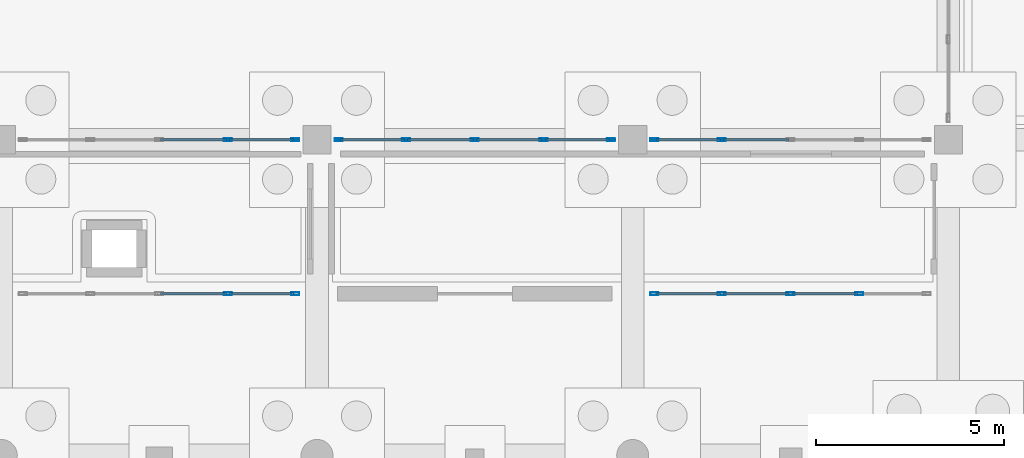
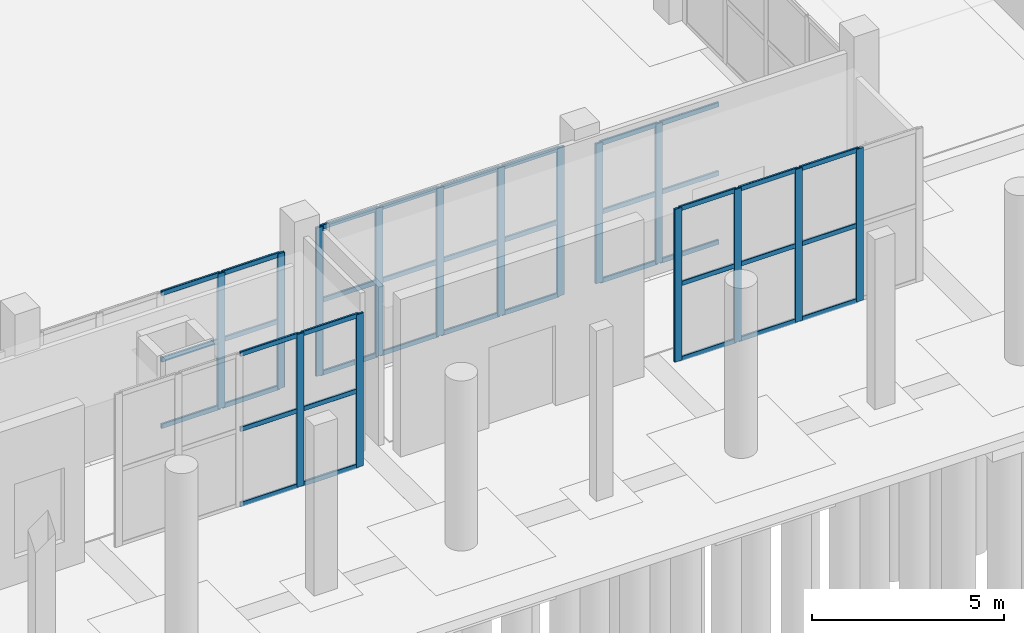
# One storey, part 17 of 65: 54 members, 5 elements without a shape of their own.
"""IFC4 building model written with IfcOpenShell, lengths in metres."""

from ifc_helpers import new_model, si_unit, direction, frame, origin, origin_2d, place, context, subcontext, project, spatial, hollow_rectangle, extrude, material, layer, layer_set, material_profile, profile_set, type_object, element, aggregate, save


model = new_model("IFC4")

# Units and contexts
model_context = context("Model", 3, precision=1e-05, world=origin(), true_north=direction((0.0, 1.0)))
body_context = subcontext(model_context, "Body", "Model", "MODEL_VIEW")
ifc_project = project(units=[si_unit("LENGTHUNIT", "METRE"), si_unit("AREAUNIT", "SQUARE_METRE"), si_unit("VOLUMEUNIT", "CUBIC_METRE"), si_unit("PLANEANGLEUNIT", "RADIAN"), si_unit("MASSUNIT", "GRAM", prefix="KILO")], contexts=[model_context])

# Site, building, storey
site_placement = place(None, origin())
site = spatial("IfcSite", under=ifc_project, at=site_placement, CompositionType="ELEMENT")
building_placement = place(site_placement, origin())
building = spatial("IfcBuilding", under=site, at=building_placement, Name="Zulmaris Art Gallery", CompositionType="ELEMENT")
storey_placement = place(building_placement, origin())
storey = spatial("IfcBuildingStorey", under=building, at=storey_placement, Name="L00", CompositionType="ELEMENT", Elevation=0.0)

# Curtain wall, members
ifc_material_1 = material(Name="Cloister & Court Glazed Curtain Wall", Category="aluminium")
ifc_layer = layer(ifc_material_1, 0.179931640625)
ifc_layer_set = layer_set([ifc_layer], Name="Cloister & Court Glazed Curtain Wall")
curtain_wall_type = type_object("IfcCurtainWallType", Name="CW-CW03", PredefinedType="NOTDEFINED", material=ifc_layer_set)
curtain_wall_1_placement = place(storey_placement, origin())
curtain_wall_1 = element("IfcCurtainWall", 1, at=curtain_wall_1_placement, inside=storey, type_object=curtain_wall_type, Name="L00 curtain wall 55", PredefinedType="NOTDEFINED")
ifc_material_2 = material(Name="Anodised Bronze Aluminium", Category="aluminium")
ifc_material_profile_1 = material_profile(ifc_material_2, hollow_rectangle(XDim=0.074951171875, YDim=0.219970703125, WallThickness=0.0048828125, InnerFilletRadius=0.007568359375, OuterFilletRadius=0.012451171875, at=origin_2d()), Name="ALU 75x220x5")
ifc_profile_set_1 = profile_set([ifc_material_profile_1], Name="Anodised Bronze Aluminium")
member_type_1 = type_object("IfcMemberType", Name="CWMUL-02", PredefinedType="MULLION", material=ifc_profile_set_1)
member_1_placement = place(storey_placement, frame((105.6298828125, 17.5, 0.0), z_axis=(0.0, 0.0, 1.0), x_axis=(0.0, 1.0, 0.0)))
member_1 = element("IfcMember", 2, at=member_1_placement, type_object=member_type_1, Name="CW03 mullion 4", PredefinedType="MULLION", context=body_context, shape_type="SweptSolid", body=[
    extrude(hollow_rectangle(XDim=0.074951171875, YDim=0.219970703125, WallThickness=0.0048828125, InnerFilletRadius=0.007568359375, OuterFilletRadius=0.012451171875, at=origin_2d()), origin(), (0.0, 0.0, 1.0), 4.85009765625),
])
member_2_placement = place(storey_placement, frame((107.422607421875, 17.5, 0.0), z_axis=(0.0, 0.0, 1.0), x_axis=(0.0, 1.0, 0.0)))
member_2 = element("IfcMember", 3, at=member_2_placement, type_object=member_type_1, Name="CW03 mullion 5", PredefinedType="MULLION", context=body_context, shape_type="SweptSolid", body=[
    extrude(hollow_rectangle(XDim=0.074951171875, YDim=0.219970703125, WallThickness=0.0048828125, InnerFilletRadius=0.007568359375, OuterFilletRadius=0.012451171875, at=origin_2d()), origin(), (0.0, 0.0, 1.0), 4.85009765625),
])

curtain_wall_2_placement = place(storey_placement, origin())
curtain_wall_2 = element("IfcCurtainWall", 4, at=curtain_wall_2_placement, inside=storey, type_object=curtain_wall_type, Name="L00 curtain wall 56", PredefinedType="NOTDEFINED")
member_3_placement = place(storey_placement, frame((116.9775390625, 17.5, 0.0), z_axis=(0.0, 0.0, 1.0), x_axis=(0.0, 1.0, 0.0)))
member_3 = element("IfcMember", 5, at=member_3_placement, type_object=member_type_1, Name="CW03 mullion 1", PredefinedType="MULLION", context=body_context, shape_type="SweptSolid", body=[
    extrude(hollow_rectangle(XDim=0.074951171875, YDim=0.219970703125, WallThickness=0.0048828125, InnerFilletRadius=0.007568359375, OuterFilletRadius=0.012451171875, at=origin_2d()), origin(), (0.0, 0.0, 1.0), 4.85009765625),
])
member_4_placement = place(storey_placement, frame((118.77001953125, 17.5, 0.0), z_axis=(0.0, 0.0, 1.0), x_axis=(0.0, 1.0, 0.0)))
member_4 = element("IfcMember", 6, at=member_4_placement, type_object=member_type_1, Name="CW03 mullion 2", PredefinedType="MULLION", context=body_context, shape_type="SweptSolid", body=[
    extrude(hollow_rectangle(XDim=0.074951171875, YDim=0.219970703125, WallThickness=0.0048828125, InnerFilletRadius=0.007568359375, OuterFilletRadius=0.012451171875, at=origin_2d()), origin(), (0.0, 0.0, 1.0), 4.85009765625),
])
member_5_placement = place(storey_placement, frame((120.60009765625, 17.5, 0.0), z_axis=(0.0, 0.0, 1.0), x_axis=(0.0, 1.0, 0.0)))
member_5 = element("IfcMember", 7, at=member_5_placement, type_object=member_type_1, Name="CW03 mullion 3", PredefinedType="MULLION", context=body_context, shape_type="SweptSolid", body=[
    extrude(hollow_rectangle(XDim=0.074951171875, YDim=0.219970703125, WallThickness=0.0048828125, InnerFilletRadius=0.007568359375, OuterFilletRadius=0.012451171875, at=origin_2d()), origin(), (0.0, 0.0, 1.0), 4.85009765625),
])
member_6_placement = place(storey_placement, frame((122.429931640625, 17.5, 0.0), z_axis=(0.0, 0.0, 1.0), x_axis=(0.0, 1.0, 0.0)))
member_6 = element("IfcMember", 8, at=member_6_placement, type_object=member_type_1, Name="CW03 mullion 4", PredefinedType="MULLION", context=body_context, shape_type="SweptSolid", body=[
    extrude(hollow_rectangle(XDim=0.074951171875, YDim=0.219970703125, WallThickness=0.0048828125, InnerFilletRadius=0.007568359375, OuterFilletRadius=0.012451171875, at=origin_2d()), origin(), (0.0, 0.0, 1.0), 4.85009765625),
])

curtain_wall_3_placement = place(storey_placement, origin())
curtain_wall_3 = element("IfcCurtainWall", 9, at=curtain_wall_3_placement, inside=storey, type_object=curtain_wall_type, Name="L00 curtain wall 186", PredefinedType="NOTDEFINED")
member_7_placement = place(storey_placement, frame((105.6298828125, 21.60009765625, 0.0), z_axis=(0.0, 0.0, 1.0), x_axis=(0.0, 1.0, 0.0)))
member_7 = element("IfcMember", 10, at=member_7_placement, type_object=member_type_1, Name="CW03 mullion 4", PredefinedType="MULLION", context=body_context, shape_type="SweptSolid", body=[
    extrude(hollow_rectangle(XDim=0.074951171875, YDim=0.219970703125, WallThickness=0.0048828125, InnerFilletRadius=0.007568359375, OuterFilletRadius=0.012451171875, at=origin_2d()), origin(), (0.0, 0.0, 1.0), 4.2900390625),
])
member_8_placement = place(storey_placement, frame((107.422607421875, 21.60009765625, 0.0), z_axis=(0.0, 0.0, 1.0), x_axis=(0.0, 1.0, 0.0)))
member_8 = element("IfcMember", 11, at=member_8_placement, type_object=member_type_1, Name="CW03 mullion 5", PredefinedType="MULLION", context=body_context, shape_type="SweptSolid", body=[
    extrude(hollow_rectangle(XDim=0.074951171875, YDim=0.219970703125, WallThickness=0.0048828125, InnerFilletRadius=0.007568359375, OuterFilletRadius=0.012451171875, at=origin_2d()), origin(), (0.0, 0.0, 1.0), 4.2900390625),
])

curtain_wall_4_placement = place(storey_placement, origin())
curtain_wall_4 = element("IfcCurtainWall", 12, at=curtain_wall_4_placement, inside=storey, type_object=curtain_wall_type, Name="L00 curtain wall 187", PredefinedType="NOTDEFINED")
member_9_placement = place(storey_placement, frame((108.577392578125, 21.60009765625, 0.0), z_axis=(0.0, 0.0, 1.0), x_axis=(0.0, 1.0, 0.0)))
member_9 = element("IfcMember", 13, at=member_9_placement, type_object=member_type_1, Name="CW03 mullion 1", PredefinedType="MULLION", context=body_context, shape_type="SweptSolid", body=[
    extrude(hollow_rectangle(XDim=0.074951171875, YDim=0.219970703125, WallThickness=0.0048828125, InnerFilletRadius=0.007568359375, OuterFilletRadius=0.012451171875, at=origin_2d()), origin(), (0.0, 0.0, 1.0), 4.7099609375),
])
member_10_placement = place(storey_placement, frame((110.3701171875, 21.60009765625, 0.0), z_axis=(0.0, 0.0, 1.0), x_axis=(0.0, 1.0, 0.0)))
member_10 = element("IfcMember", 14, at=member_10_placement, type_object=member_type_1, Name="CW03 mullion 2", PredefinedType="MULLION", context=body_context, shape_type="SweptSolid", body=[
    extrude(hollow_rectangle(XDim=0.074951171875, YDim=0.219970703125, WallThickness=0.0048828125, InnerFilletRadius=0.007568359375, OuterFilletRadius=0.012451171875, at=origin_2d()), origin(), (0.0, 0.0, 1.0), 4.7099609375),
])
member_11_placement = place(storey_placement, frame((112.199951171875, 21.60009765625, 0.0), z_axis=(0.0, 0.0, 1.0), x_axis=(0.0, 1.0, 0.0)))
member_11 = element("IfcMember", 15, at=member_11_placement, type_object=member_type_1, Name="CW03 mullion 3", PredefinedType="MULLION", context=body_context, shape_type="SweptSolid", body=[
    extrude(hollow_rectangle(XDim=0.074951171875, YDim=0.219970703125, WallThickness=0.0048828125, InnerFilletRadius=0.007568359375, OuterFilletRadius=0.012451171875, at=origin_2d()), origin(), (0.0, 0.0, 1.0), 4.7099609375),
])
member_12_placement = place(storey_placement, frame((114.030029296875, 21.60009765625, 0.0), z_axis=(0.0, 0.0, 1.0), x_axis=(0.0, 1.0, 0.0)))
member_12 = element("IfcMember", 16, at=member_12_placement, type_object=member_type_1, Name="CW03 mullion 4", PredefinedType="MULLION", context=body_context, shape_type="SweptSolid", body=[
    extrude(hollow_rectangle(XDim=0.074951171875, YDim=0.219970703125, WallThickness=0.0048828125, InnerFilletRadius=0.007568359375, OuterFilletRadius=0.012451171875, at=origin_2d()), origin(), (0.0, 0.0, 1.0), 4.7099609375),
])
member_13_placement = place(storey_placement, frame((115.822509765625, 21.60009765625, 0.0), z_axis=(0.0, 0.0, 1.0), x_axis=(0.0, 1.0, 0.0)))
member_13 = element("IfcMember", 17, at=member_13_placement, type_object=member_type_1, Name="CW03 mullion 5", PredefinedType="MULLION", context=body_context, shape_type="SweptSolid", body=[
    extrude(hollow_rectangle(XDim=0.074951171875, YDim=0.219970703125, WallThickness=0.0048828125, InnerFilletRadius=0.007568359375, OuterFilletRadius=0.012451171875, at=origin_2d()), origin(), (0.0, 0.0, 1.0), 4.7099609375),
])

curtain_wall_5_placement = place(storey_placement, origin())
curtain_wall_5 = element("IfcCurtainWall", 18, at=curtain_wall_5_placement, inside=storey, type_object=curtain_wall_type, Name="L00 curtain wall 188", PredefinedType="NOTDEFINED")
member_14_placement = place(storey_placement, frame((116.9775390625, 21.60009765625, 0.0), z_axis=(0.0, 0.0, 1.0), x_axis=(0.0, 1.0, 0.0)))
member_14 = element("IfcMember", 19, at=member_14_placement, type_object=member_type_1, Name="CW03 mullion 1", PredefinedType="MULLION", context=body_context, shape_type="SweptSolid", body=[
    extrude(hollow_rectangle(XDim=0.074951171875, YDim=0.219970703125, WallThickness=0.0048828125, InnerFilletRadius=0.007568359375, OuterFilletRadius=0.012451171875, at=origin_2d()), origin(), (0.0, 0.0, 1.0), 4.43994140625),
])
member_15_placement = place(storey_placement, frame((118.77001953125, 21.60009765625, 0.0), z_axis=(0.0, 0.0, 1.0), x_axis=(0.0, 1.0, 0.0)))
member_15 = element("IfcMember", 20, at=member_15_placement, type_object=member_type_1, Name="CW03 mullion 2", PredefinedType="MULLION", context=body_context, shape_type="SweptSolid", body=[
    extrude(hollow_rectangle(XDim=0.074951171875, YDim=0.219970703125, WallThickness=0.0048828125, InnerFilletRadius=0.007568359375, OuterFilletRadius=0.012451171875, at=origin_2d()), origin(), (0.0, 0.0, 1.0), 4.43994140625),
])

# Member
ifc_material_profile_2 = material_profile(ifc_material_2, hollow_rectangle(XDim=0.06494140625, YDim=0.14990234375, WallThickness=0.00390625, InnerFilletRadius=0.006103515625, OuterFilletRadius=0.010009765625, at=origin_2d()), Name="ALU 65x150x4")
ifc_profile_set_2 = profile_set([ifc_material_profile_2], Name="Anodised Bronze Aluminium")
member_type_2 = type_object("IfcMemberType", Name="CWTRN-01", PredefinedType="USERDEFINED", material=ifc_profile_set_2)
member_16_placement = place(storey_placement, frame((103.83740234375, 17.5, 0.03759765625), z_axis=(1.0, 0.0, 0.0), x_axis=(0.0, 1.0, 0.0)))
member_16 = element("IfcMember", 21, at=member_16_placement, type_object=member_type_2, Name="CW03 transom 3.1", ObjectType="TRANSOM", PredefinedType="USERDEFINED", context=body_context, shape_type="SweptSolid", body=[
    extrude(hollow_rectangle(XDim=0.06494140625, YDim=0.14990234375, WallThickness=0.00390625, InnerFilletRadius=0.006103515625, OuterFilletRadius=0.010009765625, at=origin_2d()), origin(), (0.0, 0.0, 1.0), 1.755126953125),
])

member_17_placement = place(storey_placement, frame((103.83740234375, 17.5, 2.425048828125), z_axis=(1.0, 0.0, 0.0), x_axis=(0.0, 1.0, 0.0)))
member_17 = element("IfcMember", 22, at=member_17_placement, type_object=member_type_2, Name="CW03 transom 3.2", ObjectType="TRANSOM", PredefinedType="USERDEFINED", context=body_context, shape_type="SweptSolid", body=[
    extrude(hollow_rectangle(XDim=0.06494140625, YDim=0.14990234375, WallThickness=0.00390625, InnerFilletRadius=0.006103515625, OuterFilletRadius=0.010009765625, at=origin_2d()), origin(), (0.0, 0.0, 1.0), 1.755126953125),
])

member_18_placement = place(storey_placement, frame((103.83740234375, 17.5, 4.8125), z_axis=(1.0, 0.0, 0.0), x_axis=(0.0, 1.0, 0.0)))
member_18 = element("IfcMember", 23, at=member_18_placement, type_object=member_type_2, Name="CW03 transom 3.3", ObjectType="TRANSOM", PredefinedType="USERDEFINED", context=body_context, shape_type="SweptSolid", body=[
    extrude(hollow_rectangle(XDim=0.06494140625, YDim=0.14990234375, WallThickness=0.00390625, InnerFilletRadius=0.006103515625, OuterFilletRadius=0.010009765625, at=origin_2d()), origin(), (0.0, 0.0, 1.0), 1.755126953125),
])

member_19_placement = place(storey_placement, frame((105.66748046875, 17.5, 0.03759765625), z_axis=(1.0, 0.0, 0.0), x_axis=(0.0, 1.0, 0.0)))
member_19 = element("IfcMember", 24, at=member_19_placement, type_object=member_type_2, Name="CW03 transom 4.1", ObjectType="TRANSOM", PredefinedType="USERDEFINED", context=body_context, shape_type="SweptSolid", body=[
    extrude(hollow_rectangle(XDim=0.06494140625, YDim=0.14990234375, WallThickness=0.00390625, InnerFilletRadius=0.006103515625, OuterFilletRadius=0.010009765625, at=origin_2d()), origin(), (0.0, 0.0, 1.0), 1.717529296875),
])

member_20_placement = place(storey_placement, frame((105.66748046875, 17.5, 2.425048828125), z_axis=(1.0, 0.0, 0.0), x_axis=(0.0, 1.0, 0.0)))
member_20 = element("IfcMember", 25, at=member_20_placement, type_object=member_type_2, Name="CW03 transom 4.2", ObjectType="TRANSOM", PredefinedType="USERDEFINED", context=body_context, shape_type="SweptSolid", body=[
    extrude(hollow_rectangle(XDim=0.06494140625, YDim=0.14990234375, WallThickness=0.00390625, InnerFilletRadius=0.006103515625, OuterFilletRadius=0.010009765625, at=origin_2d()), origin(), (0.0, 0.0, 1.0), 1.717529296875),
])

member_21_placement = place(storey_placement, frame((105.66748046875, 17.5, 4.8125), z_axis=(1.0, 0.0, 0.0), x_axis=(0.0, 1.0, 0.0)))
member_21 = element("IfcMember", 26, at=member_21_placement, type_object=member_type_2, Name="CW03 transom 4.3", ObjectType="TRANSOM", PredefinedType="USERDEFINED", context=body_context, shape_type="SweptSolid", body=[
    extrude(hollow_rectangle(XDim=0.06494140625, YDim=0.14990234375, WallThickness=0.00390625, InnerFilletRadius=0.006103515625, OuterFilletRadius=0.010009765625, at=origin_2d()), origin(), (0.0, 0.0, 1.0), 1.717529296875),
])

aggregate(curtain_wall_1, [member_1, member_2, member_16, member_17, member_18, member_19, member_20, member_21])

member_22_placement = place(storey_placement, frame((117.014892578125, 17.5, 0.03759765625), z_axis=(1.0, 0.0, 0.0), x_axis=(0.0, 1.0, 0.0)))
member_22 = element("IfcMember", 27, at=member_22_placement, type_object=member_type_2, Name="CW03 transom 1.1", ObjectType="TRANSOM", PredefinedType="USERDEFINED", context=body_context, shape_type="SweptSolid", body=[
    extrude(hollow_rectangle(XDim=0.06494140625, YDim=0.14990234375, WallThickness=0.00390625, InnerFilletRadius=0.006103515625, OuterFilletRadius=0.010009765625, at=origin_2d()), origin(), (0.0, 0.0, 1.0), 1.717529296875),
])

member_23_placement = place(storey_placement, frame((117.014892578125, 17.5, 2.425048828125), z_axis=(1.0, 0.0, 0.0), x_axis=(0.0, 1.0, 0.0)))
member_23 = element("IfcMember", 28, at=member_23_placement, type_object=member_type_2, Name="CW03 transom 1.2", ObjectType="TRANSOM", PredefinedType="USERDEFINED", context=body_context, shape_type="SweptSolid", body=[
    extrude(hollow_rectangle(XDim=0.06494140625, YDim=0.14990234375, WallThickness=0.00390625, InnerFilletRadius=0.006103515625, OuterFilletRadius=0.010009765625, at=origin_2d()), origin(), (0.0, 0.0, 1.0), 1.717529296875),
])

member_24_placement = place(storey_placement, frame((117.014892578125, 17.5, 4.8125), z_axis=(1.0, 0.0, 0.0), x_axis=(0.0, 1.0, 0.0)))
member_24 = element("IfcMember", 29, at=member_24_placement, type_object=member_type_2, Name="CW03 transom 1.3", ObjectType="TRANSOM", PredefinedType="USERDEFINED", context=body_context, shape_type="SweptSolid", body=[
    extrude(hollow_rectangle(XDim=0.06494140625, YDim=0.14990234375, WallThickness=0.00390625, InnerFilletRadius=0.006103515625, OuterFilletRadius=0.010009765625, at=origin_2d()), origin(), (0.0, 0.0, 1.0), 1.717529296875),
])

member_25_placement = place(storey_placement, frame((118.8076171875, 17.5, 0.03759765625), z_axis=(1.0, 0.0, 0.0), x_axis=(0.0, 1.0, 0.0)))
member_25 = element("IfcMember", 30, at=member_25_placement, type_object=member_type_2, Name="CW03 transom 2.1", ObjectType="TRANSOM", PredefinedType="USERDEFINED", context=body_context, shape_type="SweptSolid", body=[
    extrude(hollow_rectangle(XDim=0.06494140625, YDim=0.14990234375, WallThickness=0.00390625, InnerFilletRadius=0.006103515625, OuterFilletRadius=0.010009765625, at=origin_2d()), origin(), (0.0, 0.0, 1.0), 1.7548828125),
])

member_26_placement = place(storey_placement, frame((118.8076171875, 17.5, 2.425048828125), z_axis=(1.0, 0.0, 0.0), x_axis=(0.0, 1.0, 0.0)))
member_26 = element("IfcMember", 31, at=member_26_placement, type_object=member_type_2, Name="CW03 transom 2.2", ObjectType="TRANSOM", PredefinedType="USERDEFINED", context=body_context, shape_type="SweptSolid", body=[
    extrude(hollow_rectangle(XDim=0.06494140625, YDim=0.14990234375, WallThickness=0.00390625, InnerFilletRadius=0.006103515625, OuterFilletRadius=0.010009765625, at=origin_2d()), origin(), (0.0, 0.0, 1.0), 1.7548828125),
])

member_27_placement = place(storey_placement, frame((118.8076171875, 17.5, 4.8125), z_axis=(1.0, 0.0, 0.0), x_axis=(0.0, 1.0, 0.0)))
member_27 = element("IfcMember", 32, at=member_27_placement, type_object=member_type_2, Name="CW03 transom 2.3", ObjectType="TRANSOM", PredefinedType="USERDEFINED", context=body_context, shape_type="SweptSolid", body=[
    extrude(hollow_rectangle(XDim=0.06494140625, YDim=0.14990234375, WallThickness=0.00390625, InnerFilletRadius=0.006103515625, OuterFilletRadius=0.010009765625, at=origin_2d()), origin(), (0.0, 0.0, 1.0), 1.7548828125),
])

member_28_placement = place(storey_placement, frame((120.637451171875, 17.5, 0.03759765625), z_axis=(1.0, 0.0, 0.0), x_axis=(0.0, 1.0, 0.0)))
member_28 = element("IfcMember", 33, at=member_28_placement, type_object=member_type_2, Name="CW03 transom 3.1", ObjectType="TRANSOM", PredefinedType="USERDEFINED", context=body_context, shape_type="SweptSolid", body=[
    extrude(hollow_rectangle(XDim=0.06494140625, YDim=0.14990234375, WallThickness=0.00390625, InnerFilletRadius=0.006103515625, OuterFilletRadius=0.010009765625, at=origin_2d()), origin(), (0.0, 0.0, 1.0), 1.755126953125),
])

member_29_placement = place(storey_placement, frame((120.637451171875, 17.5, 2.425048828125), z_axis=(1.0, 0.0, 0.0), x_axis=(0.0, 1.0, 0.0)))
member_29 = element("IfcMember", 34, at=member_29_placement, type_object=member_type_2, Name="CW03 transom 3.2", ObjectType="TRANSOM", PredefinedType="USERDEFINED", context=body_context, shape_type="SweptSolid", body=[
    extrude(hollow_rectangle(XDim=0.06494140625, YDim=0.14990234375, WallThickness=0.00390625, InnerFilletRadius=0.006103515625, OuterFilletRadius=0.010009765625, at=origin_2d()), origin(), (0.0, 0.0, 1.0), 1.755126953125),
])

member_30_placement = place(storey_placement, frame((120.637451171875, 17.5, 4.8125), z_axis=(1.0, 0.0, 0.0), x_axis=(0.0, 1.0, 0.0)))
member_30 = element("IfcMember", 35, at=member_30_placement, type_object=member_type_2, Name="CW03 transom 3.3", ObjectType="TRANSOM", PredefinedType="USERDEFINED", context=body_context, shape_type="SweptSolid", body=[
    extrude(hollow_rectangle(XDim=0.06494140625, YDim=0.14990234375, WallThickness=0.00390625, InnerFilletRadius=0.006103515625, OuterFilletRadius=0.010009765625, at=origin_2d()), origin(), (0.0, 0.0, 1.0), 1.755126953125),
])

aggregate(curtain_wall_2, [member_3, member_4, member_5, member_6, member_22, member_23, member_24, member_25, member_26, member_27, member_28, member_29, member_30])

member_31_placement = place(storey_placement, frame((103.83740234375, 21.60009765625, 0.03759765625), z_axis=(1.0, 0.0, 0.0), x_axis=(0.0, 1.0, 0.0)))
member_31 = element("IfcMember", 36, at=member_31_placement, type_object=member_type_2, Name="CW03 transom 3.1", ObjectType="TRANSOM", PredefinedType="USERDEFINED", context=body_context, shape_type="SweptSolid", body=[
    extrude(hollow_rectangle(XDim=0.06494140625, YDim=0.14990234375, WallThickness=0.00390625, InnerFilletRadius=0.006103515625, OuterFilletRadius=0.010009765625, at=origin_2d()), origin(), (0.0, 0.0, 1.0), 1.755126953125),
])

member_32_placement = place(storey_placement, frame((103.83740234375, 21.60009765625, 2.14501953125), z_axis=(1.0, 0.0, 0.0), x_axis=(0.0, 1.0, 0.0)))
member_32 = element("IfcMember", 37, at=member_32_placement, type_object=member_type_2, Name="CW03 transom 3.2", ObjectType="TRANSOM", PredefinedType="USERDEFINED", context=body_context, shape_type="SweptSolid", body=[
    extrude(hollow_rectangle(XDim=0.06494140625, YDim=0.14990234375, WallThickness=0.00390625, InnerFilletRadius=0.006103515625, OuterFilletRadius=0.010009765625, at=origin_2d()), origin(), (0.0, 0.0, 1.0), 1.755126953125),
])

member_33_placement = place(storey_placement, frame((103.83740234375, 21.60009765625, 4.25244140625), z_axis=(1.0, 0.0, 0.0), x_axis=(0.0, 1.0, 0.0)))
member_33 = element("IfcMember", 38, at=member_33_placement, type_object=member_type_2, Name="CW03 transom 3.3", ObjectType="TRANSOM", PredefinedType="USERDEFINED", context=body_context, shape_type="SweptSolid", body=[
    extrude(hollow_rectangle(XDim=0.06494140625, YDim=0.14990234375, WallThickness=0.00390625, InnerFilletRadius=0.006103515625, OuterFilletRadius=0.010009765625, at=origin_2d()), origin(), (0.0, 0.0, 1.0), 1.755126953125),
])

member_34_placement = place(storey_placement, frame((105.66748046875, 21.60009765625, 0.03759765625), z_axis=(1.0, 0.0, 0.0), x_axis=(0.0, 1.0, 0.0)))
member_34 = element("IfcMember", 39, at=member_34_placement, type_object=member_type_2, Name="CW03 transom 4.1", ObjectType="TRANSOM", PredefinedType="USERDEFINED", context=body_context, shape_type="SweptSolid", body=[
    extrude(hollow_rectangle(XDim=0.06494140625, YDim=0.14990234375, WallThickness=0.00390625, InnerFilletRadius=0.006103515625, OuterFilletRadius=0.010009765625, at=origin_2d()), origin(), (0.0, 0.0, 1.0), 1.717529296875),
])

member_35_placement = place(storey_placement, frame((105.66748046875, 21.60009765625, 2.14501953125), z_axis=(1.0, 0.0, 0.0), x_axis=(0.0, 1.0, 0.0)))
member_35 = element("IfcMember", 40, at=member_35_placement, type_object=member_type_2, Name="CW03 transom 4.2", ObjectType="TRANSOM", PredefinedType="USERDEFINED", context=body_context, shape_type="SweptSolid", body=[
    extrude(hollow_rectangle(XDim=0.06494140625, YDim=0.14990234375, WallThickness=0.00390625, InnerFilletRadius=0.006103515625, OuterFilletRadius=0.010009765625, at=origin_2d()), origin(), (0.0, 0.0, 1.0), 1.717529296875),
])

member_36_placement = place(storey_placement, frame((105.66748046875, 21.60009765625, 4.25244140625), z_axis=(1.0, 0.0, 0.0), x_axis=(0.0, 1.0, 0.0)))
member_36 = element("IfcMember", 41, at=member_36_placement, type_object=member_type_2, Name="CW03 transom 4.3", ObjectType="TRANSOM", PredefinedType="USERDEFINED", context=body_context, shape_type="SweptSolid", body=[
    extrude(hollow_rectangle(XDim=0.06494140625, YDim=0.14990234375, WallThickness=0.00390625, InnerFilletRadius=0.006103515625, OuterFilletRadius=0.010009765625, at=origin_2d()), origin(), (0.0, 0.0, 1.0), 1.717529296875),
])

aggregate(curtain_wall_3, [member_7, member_8, member_31, member_32, member_33, member_34, member_35, member_36])

member_37_placement = place(storey_placement, frame((108.614990234375, 21.60009765625, 0.03759765625), z_axis=(1.0, 0.0, 0.0), x_axis=(0.0, 1.0, 0.0)))
member_37 = element("IfcMember", 42, at=member_37_placement, type_object=member_type_2, Name="CW03 transom 1.1", ObjectType="TRANSOM", PredefinedType="USERDEFINED", context=body_context, shape_type="SweptSolid", body=[
    extrude(hollow_rectangle(XDim=0.06494140625, YDim=0.14990234375, WallThickness=0.00390625, InnerFilletRadius=0.006103515625, OuterFilletRadius=0.010009765625, at=origin_2d()), origin(), (0.0, 0.0, 1.0), 1.717529296875),
])

member_38_placement = place(storey_placement, frame((108.614990234375, 21.60009765625, 2.35498046875), z_axis=(1.0, 0.0, 0.0), x_axis=(0.0, 1.0, 0.0)))
member_38 = element("IfcMember", 43, at=member_38_placement, type_object=member_type_2, Name="CW03 transom 1.2", ObjectType="TRANSOM", PredefinedType="USERDEFINED", context=body_context, shape_type="SweptSolid", body=[
    extrude(hollow_rectangle(XDim=0.06494140625, YDim=0.14990234375, WallThickness=0.00390625, InnerFilletRadius=0.006103515625, OuterFilletRadius=0.010009765625, at=origin_2d()), origin(), (0.0, 0.0, 1.0), 1.717529296875),
])

member_39_placement = place(storey_placement, frame((108.614990234375, 21.60009765625, 4.672607421875), z_axis=(1.0, 0.0, 0.0), x_axis=(0.0, 1.0, 0.0)))
member_39 = element("IfcMember", 44, at=member_39_placement, type_object=member_type_2, Name="CW03 transom 1.3", ObjectType="TRANSOM", PredefinedType="USERDEFINED", context=body_context, shape_type="SweptSolid", body=[
    extrude(hollow_rectangle(XDim=0.06494140625, YDim=0.14990234375, WallThickness=0.00390625, InnerFilletRadius=0.006103515625, OuterFilletRadius=0.010009765625, at=origin_2d()), origin(), (0.0, 0.0, 1.0), 1.717529296875),
])

member_40_placement = place(storey_placement, frame((110.407470703125, 21.60009765625, 0.03759765625), z_axis=(1.0, 0.0, 0.0), x_axis=(0.0, 1.0, 0.0)))
member_40 = element("IfcMember", 45, at=member_40_placement, type_object=member_type_2, Name="CW03 transom 2.1", ObjectType="TRANSOM", PredefinedType="USERDEFINED", context=body_context, shape_type="SweptSolid", body=[
    extrude(hollow_rectangle(XDim=0.06494140625, YDim=0.14990234375, WallThickness=0.00390625, InnerFilletRadius=0.006103515625, OuterFilletRadius=0.010009765625, at=origin_2d()), origin(), (0.0, 0.0, 1.0), 1.755126953125),
])

member_41_placement = place(storey_placement, frame((110.407470703125, 21.60009765625, 2.35498046875), z_axis=(1.0, 0.0, 0.0), x_axis=(0.0, 1.0, 0.0)))
member_41 = element("IfcMember", 46, at=member_41_placement, type_object=member_type_2, Name="CW03 transom 2.2", ObjectType="TRANSOM", PredefinedType="USERDEFINED", context=body_context, shape_type="SweptSolid", body=[
    extrude(hollow_rectangle(XDim=0.06494140625, YDim=0.14990234375, WallThickness=0.00390625, InnerFilletRadius=0.006103515625, OuterFilletRadius=0.010009765625, at=origin_2d()), origin(), (0.0, 0.0, 1.0), 1.755126953125),
])

member_42_placement = place(storey_placement, frame((110.407470703125, 21.60009765625, 4.672607421875), z_axis=(1.0, 0.0, 0.0), x_axis=(0.0, 1.0, 0.0)))
member_42 = element("IfcMember", 47, at=member_42_placement, type_object=member_type_2, Name="CW03 transom 2.3", ObjectType="TRANSOM", PredefinedType="USERDEFINED", context=body_context, shape_type="SweptSolid", body=[
    extrude(hollow_rectangle(XDim=0.06494140625, YDim=0.14990234375, WallThickness=0.00390625, InnerFilletRadius=0.006103515625, OuterFilletRadius=0.010009765625, at=origin_2d()), origin(), (0.0, 0.0, 1.0), 1.755126953125),
])

member_43_placement = place(storey_placement, frame((112.237548828125, 21.60009765625, 0.03759765625), z_axis=(1.0, 0.0, 0.0), x_axis=(0.0, 1.0, 0.0)))
member_43 = element("IfcMember", 48, at=member_43_placement, type_object=member_type_2, Name="CW03 transom 3.1", ObjectType="TRANSOM", PredefinedType="USERDEFINED", context=body_context, shape_type="SweptSolid", body=[
    extrude(hollow_rectangle(XDim=0.06494140625, YDim=0.14990234375, WallThickness=0.00390625, InnerFilletRadius=0.006103515625, OuterFilletRadius=0.010009765625, at=origin_2d()), origin(), (0.0, 0.0, 1.0), 1.7548828125),
])

member_44_placement = place(storey_placement, frame((112.237548828125, 21.60009765625, 2.35498046875), z_axis=(1.0, 0.0, 0.0), x_axis=(0.0, 1.0, 0.0)))
member_44 = element("IfcMember", 49, at=member_44_placement, type_object=member_type_2, Name="CW03 transom 3.2", ObjectType="TRANSOM", PredefinedType="USERDEFINED", context=body_context, shape_type="SweptSolid", body=[
    extrude(hollow_rectangle(XDim=0.06494140625, YDim=0.14990234375, WallThickness=0.00390625, InnerFilletRadius=0.006103515625, OuterFilletRadius=0.010009765625, at=origin_2d()), origin(), (0.0, 0.0, 1.0), 1.7548828125),
])

member_45_placement = place(storey_placement, frame((112.237548828125, 21.60009765625, 4.672607421875), z_axis=(1.0, 0.0, 0.0), x_axis=(0.0, 1.0, 0.0)))
member_45 = element("IfcMember", 50, at=member_45_placement, type_object=member_type_2, Name="CW03 transom 3.3", ObjectType="TRANSOM", PredefinedType="USERDEFINED", context=body_context, shape_type="SweptSolid", body=[
    extrude(hollow_rectangle(XDim=0.06494140625, YDim=0.14990234375, WallThickness=0.00390625, InnerFilletRadius=0.006103515625, OuterFilletRadius=0.010009765625, at=origin_2d()), origin(), (0.0, 0.0, 1.0), 1.7548828125),
])

member_46_placement = place(storey_placement, frame((114.0673828125, 21.60009765625, 0.03759765625), z_axis=(1.0, 0.0, 0.0), x_axis=(0.0, 1.0, 0.0)))
member_46 = element("IfcMember", 51, at=member_46_placement, type_object=member_type_2, Name="CW03 transom 4.1", ObjectType="TRANSOM", PredefinedType="USERDEFINED", context=body_context, shape_type="SweptSolid", body=[
    extrude(hollow_rectangle(XDim=0.06494140625, YDim=0.14990234375, WallThickness=0.00390625, InnerFilletRadius=0.006103515625, OuterFilletRadius=0.010009765625, at=origin_2d()), origin(), (0.0, 0.0, 1.0), 1.717529296875),
])

member_47_placement = place(storey_placement, frame((114.0673828125, 21.60009765625, 2.35498046875), z_axis=(1.0, 0.0, 0.0), x_axis=(0.0, 1.0, 0.0)))
member_47 = element("IfcMember", 52, at=member_47_placement, type_object=member_type_2, Name="CW03 transom 4.2", ObjectType="TRANSOM", PredefinedType="USERDEFINED", context=body_context, shape_type="SweptSolid", body=[
    extrude(hollow_rectangle(XDim=0.06494140625, YDim=0.14990234375, WallThickness=0.00390625, InnerFilletRadius=0.006103515625, OuterFilletRadius=0.010009765625, at=origin_2d()), origin(), (0.0, 0.0, 1.0), 1.717529296875),
])

member_48_placement = place(storey_placement, frame((114.0673828125, 21.60009765625, 4.672607421875), z_axis=(1.0, 0.0, 0.0), x_axis=(0.0, 1.0, 0.0)))
member_48 = element("IfcMember", 53, at=member_48_placement, type_object=member_type_2, Name="CW03 transom 4.3", ObjectType="TRANSOM", PredefinedType="USERDEFINED", context=body_context, shape_type="SweptSolid", body=[
    extrude(hollow_rectangle(XDim=0.06494140625, YDim=0.14990234375, WallThickness=0.00390625, InnerFilletRadius=0.006103515625, OuterFilletRadius=0.010009765625, at=origin_2d()), origin(), (0.0, 0.0, 1.0), 1.717529296875),
])

aggregate(curtain_wall_4, [member_9, member_10, member_11, member_12, member_13, member_37, member_38, member_39, member_40, member_41, member_42, member_43, member_44, member_45, member_46, member_47, member_48])

member_49_placement = place(storey_placement, frame((117.014892578125, 21.60009765625, 0.03759765625), z_axis=(1.0, 0.0, 0.0), x_axis=(0.0, 1.0, 0.0)))
member_49 = element("IfcMember", 54, at=member_49_placement, type_object=member_type_2, Name="CW03 transom 1.1", ObjectType="TRANSOM", PredefinedType="USERDEFINED", context=body_context, shape_type="SweptSolid", body=[
    extrude(hollow_rectangle(XDim=0.06494140625, YDim=0.14990234375, WallThickness=0.00390625, InnerFilletRadius=0.006103515625, OuterFilletRadius=0.010009765625, at=origin_2d()), origin(), (0.0, 0.0, 1.0), 1.717529296875),
])

member_50_placement = place(storey_placement, frame((117.014892578125, 21.60009765625, 2.219970703125), z_axis=(1.0, 0.0, 0.0), x_axis=(0.0, 1.0, 0.0)))
member_50 = element("IfcMember", 55, at=member_50_placement, type_object=member_type_2, Name="CW03 transom 1.2", ObjectType="TRANSOM", PredefinedType="USERDEFINED", context=body_context, shape_type="SweptSolid", body=[
    extrude(hollow_rectangle(XDim=0.06494140625, YDim=0.14990234375, WallThickness=0.00390625, InnerFilletRadius=0.006103515625, OuterFilletRadius=0.010009765625, at=origin_2d()), origin(), (0.0, 0.0, 1.0), 1.717529296875),
])

member_51_placement = place(storey_placement, frame((117.014892578125, 21.60009765625, 4.402587890625), z_axis=(1.0, 0.0, 0.0), x_axis=(0.0, 1.0, 0.0)))
member_51 = element("IfcMember", 56, at=member_51_placement, type_object=member_type_2, Name="CW03 transom 1.3", ObjectType="TRANSOM", PredefinedType="USERDEFINED", context=body_context, shape_type="SweptSolid", body=[
    extrude(hollow_rectangle(XDim=0.06494140625, YDim=0.14990234375, WallThickness=0.00390625, InnerFilletRadius=0.006103515625, OuterFilletRadius=0.010009765625, at=origin_2d()), origin(), (0.0, 0.0, 1.0), 1.717529296875),
])

member_52_placement = place(storey_placement, frame((118.8076171875, 21.60009765625, 0.03759765625), z_axis=(1.0, 0.0, 0.0), x_axis=(0.0, 1.0, 0.0)))
member_52 = element("IfcMember", 57, at=member_52_placement, type_object=member_type_2, Name="CW03 transom 2.1", ObjectType="TRANSOM", PredefinedType="USERDEFINED", context=body_context, shape_type="SweptSolid", body=[
    extrude(hollow_rectangle(XDim=0.06494140625, YDim=0.14990234375, WallThickness=0.00390625, InnerFilletRadius=0.006103515625, OuterFilletRadius=0.010009765625, at=origin_2d()), origin(), (0.0, 0.0, 1.0), 1.7548828125),
])

member_53_placement = place(storey_placement, frame((118.8076171875, 21.60009765625, 2.219970703125), z_axis=(1.0, 0.0, 0.0), x_axis=(0.0, 1.0, 0.0)))
member_53 = element("IfcMember", 58, at=member_53_placement, type_object=member_type_2, Name="CW03 transom 2.2", ObjectType="TRANSOM", PredefinedType="USERDEFINED", context=body_context, shape_type="SweptSolid", body=[
    extrude(hollow_rectangle(XDim=0.06494140625, YDim=0.14990234375, WallThickness=0.00390625, InnerFilletRadius=0.006103515625, OuterFilletRadius=0.010009765625, at=origin_2d()), origin(), (0.0, 0.0, 1.0), 1.7548828125),
])

member_54_placement = place(storey_placement, frame((118.8076171875, 21.60009765625, 4.402587890625), z_axis=(1.0, 0.0, 0.0), x_axis=(0.0, 1.0, 0.0)))
member_54 = element("IfcMember", 59, at=member_54_placement, type_object=member_type_2, Name="CW03 transom 2.3", ObjectType="TRANSOM", PredefinedType="USERDEFINED", context=body_context, shape_type="SweptSolid", body=[
    extrude(hollow_rectangle(XDim=0.06494140625, YDim=0.14990234375, WallThickness=0.00390625, InnerFilletRadius=0.006103515625, OuterFilletRadius=0.010009765625, at=origin_2d()), origin(), (0.0, 0.0, 1.0), 1.7548828125),
])

aggregate(curtain_wall_5, [member_14, member_15, member_49, member_50, member_51, member_52, member_53, member_54])

save(model, "model.ifc")
